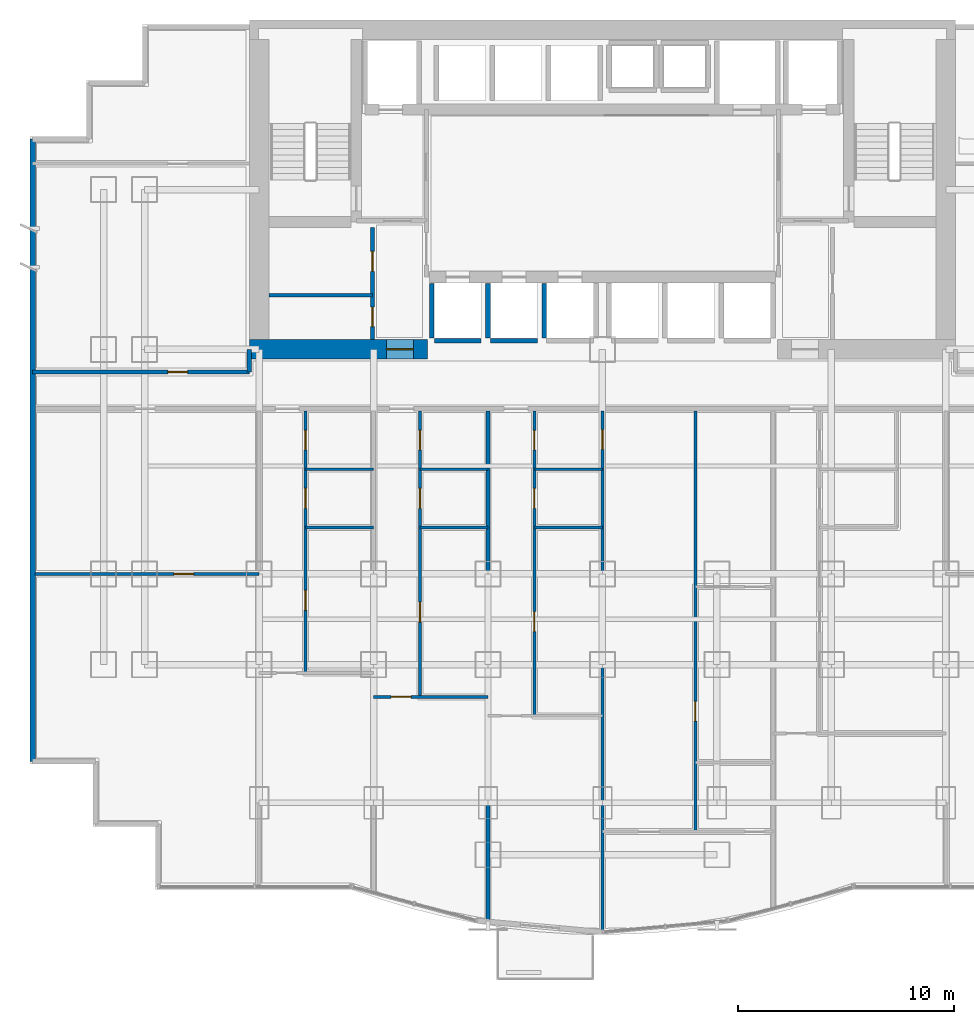
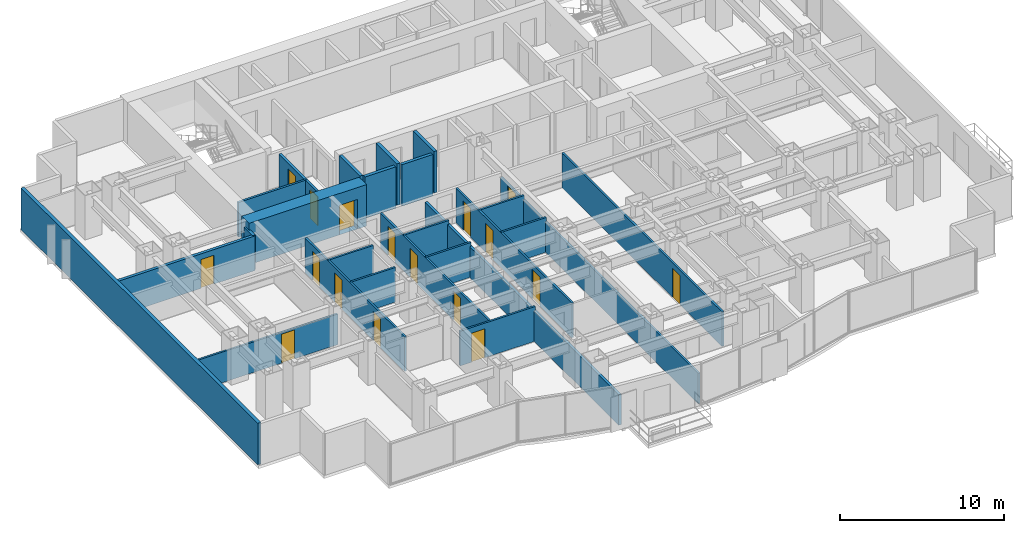
# One storey, part 5 of 10: 25 walls, 17 doors, 17 openings.
"""IFC4 building model written with IfcOpenShell, lengths in metres."""

from ifc_helpers import new_model, si_unit, direction, frame, frame_2d, origin, place, context, subcontext, project, spatial, rectangle, extrude, material, layer, layer_set, type_object, element, fill, save


model = new_model("IFC4")

# Units and contexts
model_context = context("Model", 3, precision=1e-05, world=origin(), true_north=direction((0.0, 1.0)))
body_context = subcontext(model_context, "Body", "Model", "MODEL_VIEW")
ifc_project = project(units=[si_unit("LENGTHUNIT", "METRE"), si_unit("AREAUNIT", "SQUARE_METRE"), si_unit("VOLUMEUNIT", "CUBIC_METRE"), si_unit("PLANEANGLEUNIT", "RADIAN"), si_unit("MASSUNIT", "GRAM", prefix="KILO")], contexts=[model_context])

# Site, building, storey
site_placement = place(None, origin())
site = spatial("IfcSite", under=ifc_project, at=site_placement, CompositionType="ELEMENT")
building_placement = place(site_placement, origin())
building = spatial("IfcBuilding", under=site, at=building_placement, Name="Qianlan Lanfeng Residences", CompositionType="ELEMENT")
storey_placement = place(building_placement, frame((0.0, 0.0, 34.10009765625)))
storey = spatial("IfcBuildingStorey", under=building, at=storey_placement, Name="L08", CompositionType="ELEMENT", Elevation=34.10009765625)

# Wall, opening, door
ifc_material_1 = material(Name="Concrete C70", Category="concrete")
ifc_layer_1 = layer(ifc_material_1, 0.89990234375)
ifc_layer_set_1 = layer_set([ifc_layer_1], Name="Concrete C70")
wall_type_1 = type_object("IfcWallType", Name="CW-RC-900", PredefinedType="SHEAR", material=ifc_layer_set_1)
wall_1_placement = place(storey_placement, frame((10.14990234375, 25.199951171875, 0.0), z_axis=(0.0, 0.0, 1.0), x_axis=(1.0, 0.0, 0.0)))
wall_1 = element("IfcWall", 1, at=wall_1_placement, inside=storey, type_object=wall_type_1, Name="L08 Core Shear Wall SW", PredefinedType="SHEAR", context=body_context, shape_type="SweptSolid", body=[
    extrude(rectangle(XDim=8.25, YDim=0.89990234375, at=frame_2d((4.125, 0.0))), origin(), (0.0, 0.0, 1.0), 3.079833984375),
])
opening_1_placement = place(wall_1_placement, frame((6.35009765625, 0.0, 0.0)))
opening_1 = element("IfcOpeningElement", 2, at=opening_1_placement, cuts=wall_1, Name="Opening L08-D01", PredefinedType="OPENING", context=body_context, shape_type="SweptSolid", body=[
    extrude(rectangle(XDim=1.25, YDim=2.199951171875, at=frame_2d((0.625, 1.10009765625))), frame((0.0, 0.4599609375, 0.0), z_axis=(0.0, -1.0, 0.0), x_axis=(1.0, 0.0, 0.0)), (0.0, 0.0, 1.0), 0.919921875),
])
ifc_material_2 = material(Name="Painted Galvanised Steel Fire Door", Category="steel")
door_type_1 = type_object("IfcDoorType", Name="DT-FFL", OperationType="NOTDEFINED", PredefinedType="DOOR", material=ifc_material_2)
door_1_placement = place(opening_1_placement, frame((1.25, 0.0, 0.0), z_axis=(0.0, 0.0, 1.0), x_axis=(-1.0, 0.0, 0.0)))
door_1 = element("IfcDoor", 3, at=door_1_placement, inside=storey, type_object=door_type_1, Name="L08 West Core Lobby Smoke Door L08-D01 (DT-FFL)", OperationType="SINGLE_SWING_RIGHT", OverallHeight=2.199951171875, OverallWidth=1.25, PredefinedType="DOOR", context=body_context, shape_type="SweptSolid", body=[
    extrude(rectangle(XDim=1.25, YDim=2.199951171875, at=frame_2d((0.625, 1.10009765625))), frame((0.0, 0.02490234375, 0.0), z_axis=(0.0, -1.0, 0.0), x_axis=(1.0, 0.0, 0.0)), (0.0, 0.0, 1.0), 0.050048828125),
])
fill(opening_1, door_1)

# Wall
ifc_material_3 = material(Name="Concrete C42", Category="concrete")
ifc_layer_2 = layer(ifc_material_3, 0.239990234375)
ifc_layer_set_2 = layer_set([ifc_layer_2], Name="Concrete C42")
wall_type_2 = type_object("IfcWallType", Name="EW-240", PredefinedType="SOLIDWALL", material=ifc_layer_set_2)
wall_2_placement = place(storey_placement, frame((0.1201171875, 34.929931640625, 0.0), z_axis=(0.0, 0.0, 1.0), x_axis=(0.0, -1.0, 0.0)))
element("IfcWall", 4, at=wall_2_placement, inside=storey, type_object=wall_type_2, Name="L08 Exterior Facade Spandrel Wall 21", PredefinedType="SOLIDWALL", context=body_context, shape_type="SweptSolid", body=[
    extrude(rectangle(XDim=28.809814453125, YDim=0.239990234375, at=frame_2d((14.40478515625, 0.0))), origin(), (0.0, 0.0, 1.0), 3.079833984375),
])

# Wall, openings, doors
ifc_material_4 = material(Name="Moisture-Resistant Gypsum Partition 135 mm")
ifc_layer_3 = layer(ifc_material_4, 0.135009765625)
ifc_layer_set_3 = layer_set([ifc_layer_3], Name="Moisture-Resistant Gypsum Partition 135 mm")
wall_type_3 = type_object("IfcWallType", Name="PW-135", PredefinedType="PARTITIONING", material=ifc_layer_set_3)
wall_3_placement = place(storey_placement, frame((12.75, 10.219970703125, 0.0), z_axis=(0.0, 0.0, 1.0), x_axis=(0.0, 1.0, 0.0)))
wall_3 = element("IfcWall", 5, at=wall_3_placement, inside=storey, type_object=wall_type_3, Name="L08 U01 Entry Hall Spine", PredefinedType="PARTITIONING", context=body_context, shape_type="SweptSolid", body=[
    extrude(rectangle(XDim=12.130126953125, YDim=0.135009765625, at=frame_2d((6.06494140625, 0.0))), origin(), (0.0, 0.0, 1.0), 2.56982421875),
])
opening_2_placement = place(wall_3_placement, frame((2.905029296875, 0.0, 0.0)))
opening_2 = element("IfcOpeningElement", 6, at=opening_2_placement, cuts=wall_3, Name="Opening L08-D16", PredefinedType="OPENING", context=body_context, shape_type="SweptSolid", body=[
    extrude(rectangle(XDim=0.919921875, YDim=2.14990234375, at=frame_2d((0.4599609375, 1.074951171875))), frame((0.0, 0.07763671875, 0.0), z_axis=(0.0, -1.0, 0.0), x_axis=(1.0, 0.0, 0.0)), (0.0, 0.0, 1.0), 0.155029296875),
])
opening_3_placement = place(wall_3_placement, frame((7.6201171875, 0.0, 0.0)))
opening_3 = element("IfcOpeningElement", 7, at=opening_3_placement, cuts=wall_3, Name="Opening L08-D17", PredefinedType="OPENING", context=body_context, shape_type="SweptSolid", body=[
    extrude(rectangle(XDim=0.919921875, YDim=2.14990234375, at=frame_2d((0.4599609375, 1.074951171875))), frame((0.0, 0.07763671875, 0.0), z_axis=(0.0, -1.0, 0.0), x_axis=(1.0, 0.0, 0.0)), (0.0, 0.0, 1.0), 0.155029296875),
])
opening_4_placement = place(wall_3_placement, frame((10.330078125, 0.0, 0.0)))
opening_4 = element("IfcOpeningElement", 8, at=opening_4_placement, cuts=wall_3, Name="Opening L08-D18", PredefinedType="OPENING", context=body_context, shape_type="SweptSolid", body=[
    extrude(rectangle(XDim=0.89990234375, YDim=2.14990234375, at=frame_2d((0.449951171875, 1.074951171875))), frame((0.0, 0.07763671875, 0.0), z_axis=(0.0, -1.0, 0.0), x_axis=(1.0, 0.0, 0.0)), (0.0, 0.0, 1.0), 0.155029296875),
])
ifc_material_5 = material(Name="Glazed Timber Kitchen/Study Door", Category="wood")
door_type_2 = type_object("IfcDoorType", Name="DT-INT", OperationType="NOTDEFINED", PredefinedType="DOOR", material=ifc_material_5)
door_2_placement = place(opening_2_placement, origin())
door_2 = element("IfcDoor", 9, at=door_2_placement, inside=storey, type_object=door_type_2, Name="L08 U01 Study Door L08-D16 (DT-INT)", OperationType="SINGLE_SWING_RIGHT", OverallHeight=2.14990234375, OverallWidth=0.919921875, PredefinedType="DOOR", context=body_context, shape_type="SweptSolid", body=[
    extrude(rectangle(XDim=0.919921875, YDim=2.14990234375, at=frame_2d((0.4599609375, 1.074951171875))), frame((0.0, 0.02490234375, 0.0), z_axis=(0.0, -1.0, 0.0), x_axis=(1.0, 0.0, 0.0)), (0.0, 0.0, 1.0), 0.050048828125),
])
fill(opening_2, door_2)
door_3_placement = place(opening_3_placement, origin())
door_3 = element("IfcDoor", 10, at=door_3_placement, inside=storey, type_object=door_type_2, Name="L08 U01 Kitchen Door L08-D17 (DT-INT)", OperationType="SINGLE_SWING_LEFT", OverallHeight=2.14990234375, OverallWidth=0.919921875, PredefinedType="DOOR", context=body_context, shape_type="SweptSolid", body=[
    extrude(rectangle(XDim=0.919921875, YDim=2.14990234375, at=frame_2d((0.4599609375, 1.074951171875))), frame((0.0, 0.02490234375, 0.0), z_axis=(0.0, -1.0, 0.0), x_axis=(1.0, 0.0, 0.0)), (0.0, 0.0, 1.0), 0.050048828125),
])
fill(opening_3, door_3)
ifc_material_6 = material(Name="Moisture-Resistant Timber Leaf", Category="wood")
door_type_3 = type_object("IfcDoorType", Name="DT-WC", OperationType="NOTDEFINED", PredefinedType="DOOR", material=ifc_material_6)
door_4_placement = place(opening_4_placement, origin())
door_4 = element("IfcDoor", 11, at=door_4_placement, inside=storey, type_object=door_type_3, Name="L08 U01 Bathroom Door L08-D18 (DT-WC)", OperationType="SINGLE_SWING_RIGHT", OverallHeight=2.14990234375, OverallWidth=0.89990234375, PredefinedType="DOOR", context=body_context, shape_type="SweptSolid", body=[
    extrude(rectangle(XDim=0.89990234375, YDim=2.14990234375, at=frame_2d((0.449951171875, 1.074951171875))), frame((0.0, 0.02490234375, 0.0), z_axis=(0.0, -1.0, 0.0), x_axis=(1.0, 0.0, 0.0)), (0.0, 0.0, 1.0), 0.050048828125),
])
fill(opening_4, door_4)

# Walls
for number, where, z_axis, x_axis, name in (
    (12, (12.75, 16.949951171875, 0.0), (0.0, 0.0, 1.0), (1.0, 0.0, 0.0), "L08 U01 Kitchen South Wall"),
    (13, (12.75, 19.64990234375, 0.0), (0.0, 0.0, 1.0), (1.0, 0.0, 0.0), "L08 U01 Bathroom South Wall"),
):
    element("IfcWall", number, at=place(storey_placement, frame(where, z_axis=z_axis, x_axis=x_axis)), inside=storey, type_object=wall_type_3, Name=name, PredefinedType="PARTITIONING", context=body_context, shape_type="SweptSolid", body=[
        extrude(rectangle(XDim=3.14990234375, YDim=0.135009765625, at=frame_2d((1.574951171875, 0.0))), origin(), (0.0, 0.0, 1.0), 2.56982421875),
    ])

# Wall, opening, door
wall_4_placement = place(storey_placement, frame((15.89990234375, 9.112060546875, 0.0), z_axis=(0.0, 0.0, 1.0), x_axis=(1.0, 0.0, 0.0)))
wall_4 = element("IfcWall", 14, at=wall_4_placement, inside=storey, type_object=wall_type_3, Name="L08 U02 Living Divider", PredefinedType="PARTITIONING", context=body_context, shape_type="SweptSolid", body=[
    extrude(rectangle(XDim=5.300048828125, YDim=0.135009765625, at=frame_2d((2.64990234375, 0.0))), origin(), (0.0, 0.0, 1.0), 2.56982421875),
])
opening_5_placement = place(wall_4_placement, frame((0.81494140625, 0.0, 0.0)))
opening_5 = element("IfcOpeningElement", 15, at=opening_5_placement, cuts=wall_4, Name="Opening L08-D20", PredefinedType="OPENING", context=body_context, shape_type="SweptSolid", body=[
    extrude(rectangle(XDim=0.919921875, YDim=2.14990234375, at=frame_2d((0.4599609375, 1.074951171875))), frame((0.0, 0.07763671875, 0.0), z_axis=(0.0, -1.0, 0.0), x_axis=(1.0, 0.0, 0.0)), (0.0, 0.0, 1.0), 0.155029296875),
])
door_5_placement = place(opening_5_placement, origin())
door_5 = element("IfcDoor", 16, at=door_5_placement, inside=storey, type_object=door_type_2, Name="L08 U02 Living Passage Door L08-D20 (DT-INT)", OperationType="SINGLE_SWING_LEFT", OverallHeight=2.14990234375, OverallWidth=0.919921875, PredefinedType="DOOR", context=body_context, shape_type="SweptSolid", body=[
    extrude(rectangle(XDim=0.919921875, YDim=2.14990234375, at=frame_2d((0.4599609375, 1.074951171875))), frame((0.0, 0.02490234375, 0.0), z_axis=(0.0, -1.0, 0.0), x_axis=(1.0, 0.0, 0.0)), (0.0, 0.0, 1.0), 0.050048828125),
])
fill(opening_5, door_5)

# Wall, openings, doors
wall_5_placement = place(storey_placement, frame((18.050048828125, 9.112060546875, 0.0), z_axis=(0.0, 0.0, 1.0), x_axis=(0.0, 1.0, 0.0)))
wall_5 = element("IfcWall", 17, at=wall_5_placement, inside=storey, type_object=wall_type_3, Name="L08 U02 Entry Hall Spine", PredefinedType="PARTITIONING", context=body_context, shape_type="SweptSolid", body=[
    extrude(rectangle(XDim=13.238037109375, YDim=0.135009765625, at=frame_2d((6.619140625, 0.0))), origin(), (0.0, 0.0, 1.0), 2.56982421875),
])
opening_6_placement = place(wall_5_placement, frame((3.458984375, 0.0, 0.0)))
opening_6 = element("IfcOpeningElement", 18, at=opening_6_placement, cuts=wall_5, Name="Opening L08-D21", PredefinedType="OPENING", context=body_context, shape_type="SweptSolid", body=[
    extrude(rectangle(XDim=0.919921875, YDim=2.14990234375, at=frame_2d((0.4599609375, 1.074951171875))), frame((0.0, 0.07763671875, 0.0), z_axis=(0.0, -1.0, 0.0), x_axis=(1.0, 0.0, 0.0)), (0.0, 0.0, 1.0), 0.155029296875),
])
opening_7_placement = place(wall_5_placement, frame((8.72802734375, 0.0, 0.0)))
opening_7 = element("IfcOpeningElement", 19, at=opening_7_placement, cuts=wall_5, Name="Opening L08-D22", PredefinedType="OPENING", context=body_context, shape_type="SweptSolid", body=[
    extrude(rectangle(XDim=0.919921875, YDim=2.14990234375, at=frame_2d((0.4599609375, 1.074951171875))), frame((0.0, 0.07763671875, 0.0), z_axis=(0.0, -1.0, 0.0), x_axis=(1.0, 0.0, 0.0)), (0.0, 0.0, 1.0), 0.155029296875),
])
opening_8_placement = place(wall_5_placement, frame((11.43798828125, 0.0, 0.0)))
opening_8 = element("IfcOpeningElement", 20, at=opening_8_placement, cuts=wall_5, Name="Opening L08-D23", PredefinedType="OPENING", context=body_context, shape_type="SweptSolid", body=[
    extrude(rectangle(XDim=0.89990234375, YDim=2.14990234375, at=frame_2d((0.449951171875, 1.074951171875))), frame((0.0, 0.07763671875, 0.0), z_axis=(0.0, -1.0, 0.0), x_axis=(1.0, 0.0, 0.0)), (0.0, 0.0, 1.0), 0.155029296875),
])
door_6_placement = place(opening_6_placement, origin())
door_6 = element("IfcDoor", 21, at=door_6_placement, inside=storey, type_object=door_type_2, Name="L08 U02 Study Door L08-D21 (DT-INT)", OperationType="SINGLE_SWING_LEFT", OverallHeight=2.14990234375, OverallWidth=0.919921875, PredefinedType="DOOR", context=body_context, shape_type="SweptSolid", body=[
    extrude(rectangle(XDim=0.919921875, YDim=2.14990234375, at=frame_2d((0.4599609375, 1.074951171875))), frame((0.0, 0.02490234375, 0.0), z_axis=(0.0, -1.0, 0.0), x_axis=(1.0, 0.0, 0.0)), (0.0, 0.0, 1.0), 0.050048828125),
])
fill(opening_6, door_6)
door_7_placement = place(opening_7_placement, origin())
door_7 = element("IfcDoor", 22, at=door_7_placement, inside=storey, type_object=door_type_2, Name="L08 U02 Kitchen Door L08-D22 (DT-INT)", OperationType="SINGLE_SWING_RIGHT", OverallHeight=2.14990234375, OverallWidth=0.919921875, PredefinedType="DOOR", context=body_context, shape_type="SweptSolid", body=[
    extrude(rectangle(XDim=0.919921875, YDim=2.14990234375, at=frame_2d((0.4599609375, 1.074951171875))), frame((0.0, 0.02490234375, 0.0), z_axis=(0.0, -1.0, 0.0), x_axis=(1.0, 0.0, 0.0)), (0.0, 0.0, 1.0), 0.050048828125),
])
fill(opening_7, door_7)
door_8_placement = place(opening_8_placement, origin())
door_8 = element("IfcDoor", 23, at=door_8_placement, inside=storey, type_object=door_type_3, Name="L08 U02 Bathroom Door L08-D23 (DT-WC)", OperationType="SINGLE_SWING_LEFT", OverallHeight=2.14990234375, OverallWidth=0.89990234375, PredefinedType="DOOR", context=body_context, shape_type="SweptSolid", body=[
    extrude(rectangle(XDim=0.89990234375, YDim=2.14990234375, at=frame_2d((0.449951171875, 1.074951171875))), frame((0.0, 0.02490234375, 0.0), z_axis=(0.0, -1.0, 0.0), x_axis=(1.0, 0.0, 0.0)), (0.0, 0.0, 1.0), 0.050048828125),
])
fill(opening_8, door_8)

# Walls
for number, where, z_axis, x_axis, name in (
    (24, (18.050048828125, 16.949951171875, 0.0), (0.0, 0.0, 1.0), (1.0, 0.0, 0.0), "L08 U02 Kitchen South Wall"),
    (25, (18.050048828125, 19.64990234375, 0.0), (0.0, 0.0, 1.0), (1.0, 0.0, 0.0), "L08 U02 Bathroom South Wall"),
):
    element("IfcWall", number, at=place(storey_placement, frame(where, z_axis=z_axis, x_axis=x_axis)), inside=storey, type_object=wall_type_3, Name=name, PredefinedType="PARTITIONING", context=body_context, shape_type="SweptSolid", body=[
        extrude(rectangle(XDim=3.14990234375, YDim=0.135009765625, at=frame_2d((1.574951171875, 0.0))), origin(), (0.0, 0.0, 1.0), 2.56982421875),
    ])

# Wall, opening, door
wall_6_placement = place(storey_placement, frame((26.5, -1.679931640625, 0.0), z_axis=(0.0, 0.0, 1.0), x_axis=(0.0, 1.0, 0.0)))
wall_6 = element("IfcWall", 26, at=wall_6_placement, inside=storey, type_object=wall_type_3, Name="L08 U03 Bay Spine Wall 1", PredefinedType="PARTITIONING", context=body_context, shape_type="SweptSolid", body=[
    extrude(rectangle(XDim=24.030029296875, YDim=0.135009765625, at=frame_2d((12.01513671875, 0.0))), origin(), (0.0, 0.0, 1.0), 2.27490234375),
])
opening_9_placement = place(wall_6_placement, frame((22.2451171875, 0.0, 0.0)))
opening_9 = element("IfcOpeningElement", 27, at=opening_9_placement, cuts=wall_6, Name="Opening L08-D25", PredefinedType="OPENING", context=body_context, shape_type="SweptSolid", body=[
    extrude(rectangle(XDim=0.919921875, YDim=2.14990234375, at=frame_2d((0.4599609375, 1.074951171875))), frame((0.0, 0.07763671875, 0.0), z_axis=(0.0, -1.0, 0.0), x_axis=(1.0, 0.0, 0.0)), (0.0, 0.0, 1.0), 0.155029296875),
])
door_9_placement = place(opening_9_placement, origin())
door_9 = element("IfcDoor", 28, at=door_9_placement, inside=storey, type_object=door_type_2, Name="L08 U03 Internal Hall Door L08-D25 (DT-INT)", OperationType="SINGLE_SWING_LEFT", OverallHeight=2.14990234375, OverallWidth=0.919921875, PredefinedType="DOOR", context=body_context, shape_type="SweptSolid", body=[
    extrude(rectangle(XDim=0.919921875, YDim=2.14990234375, at=frame_2d((0.4599609375, 1.074951171875))), frame((0.0, 0.02490234375, 0.0), z_axis=(0.0, -1.0, 0.0), x_axis=(1.0, 0.0, 0.0)), (0.0, 0.0, 1.0), 0.050048828125),
])
fill(opening_9, door_9)

# Wall, openings, doors
wall_7_placement = place(storey_placement, frame((23.35009765625, 8.23388671875, 0.0), z_axis=(0.0, 0.0, 1.0), x_axis=(0.0, 1.0, 0.0)))
wall_7 = element("IfcWall", 29, at=wall_7_placement, inside=storey, type_object=wall_type_3, Name="L08 U03 Entry Hall Spine", PredefinedType="PARTITIONING", context=body_context, shape_type="SweptSolid", body=[
    extrude(rectangle(XDim=14.1162109375, YDim=0.135009765625, at=frame_2d((7.05810546875, 0.0))), origin(), (0.0, 0.0, 1.0), 2.56982421875),
])
opening_10_placement = place(wall_7_placement, frame((3.89794921875, 0.0, 0.0)))
opening_10 = element("IfcOpeningElement", 30, at=opening_10_placement, cuts=wall_7, Name="Opening L08-D27", PredefinedType="OPENING", context=body_context, shape_type="SweptSolid", body=[
    extrude(rectangle(XDim=0.919921875, YDim=2.14990234375, at=frame_2d((0.4599609375, 1.074951171875))), frame((0.0, 0.07763671875, 0.0), z_axis=(0.0, -1.0, 0.0), x_axis=(1.0, 0.0, 0.0)), (0.0, 0.0, 1.0), 0.155029296875),
])
opening_11_placement = place(wall_7_placement, frame((9.60595703125, 0.0, 0.0)))
opening_11 = element("IfcOpeningElement", 31, at=opening_11_placement, cuts=wall_7, Name="Opening L08-D28", PredefinedType="OPENING", context=body_context, shape_type="SweptSolid", body=[
    extrude(rectangle(XDim=0.919921875, YDim=2.14990234375, at=frame_2d((0.4599609375, 1.074951171875))), frame((0.0, 0.07763671875, 0.0), z_axis=(0.0, -1.0, 0.0), x_axis=(1.0, 0.0, 0.0)), (0.0, 0.0, 1.0), 0.155029296875),
])
opening_12_placement = place(wall_7_placement, frame((12.31591796875, 0.0, 0.0)))
opening_12 = element("IfcOpeningElement", 32, at=opening_12_placement, cuts=wall_7, Name="Opening L08-D29", PredefinedType="OPENING", context=body_context, shape_type="SweptSolid", body=[
    extrude(rectangle(XDim=0.89990234375, YDim=2.14990234375, at=frame_2d((0.449951171875, 1.074951171875))), frame((0.0, 0.07763671875, 0.0), z_axis=(0.0, -1.0, 0.0), x_axis=(1.0, 0.0, 0.0)), (0.0, 0.0, 1.0), 0.155029296875),
])
door_10_placement = place(opening_10_placement, origin())
door_10 = element("IfcDoor", 33, at=door_10_placement, inside=storey, type_object=door_type_2, Name="L08 U03 Study Door L08-D27 (DT-INT)", OperationType="SINGLE_SWING_LEFT", OverallHeight=2.14990234375, OverallWidth=0.919921875, PredefinedType="DOOR", context=body_context, shape_type="SweptSolid", body=[
    extrude(rectangle(XDim=0.919921875, YDim=2.14990234375, at=frame_2d((0.4599609375, 1.074951171875))), frame((0.0, 0.02490234375, 0.0), z_axis=(0.0, -1.0, 0.0), x_axis=(1.0, 0.0, 0.0)), (0.0, 0.0, 1.0), 0.050048828125),
])
fill(opening_10, door_10)
door_11_placement = place(opening_11_placement, origin())
door_11 = element("IfcDoor", 34, at=door_11_placement, inside=storey, type_object=door_type_2, Name="L08 U03 Kitchen Door L08-D28 (DT-INT)", OperationType="SINGLE_SWING_RIGHT", OverallHeight=2.14990234375, OverallWidth=0.919921875, PredefinedType="DOOR", context=body_context, shape_type="SweptSolid", body=[
    extrude(rectangle(XDim=0.919921875, YDim=2.14990234375, at=frame_2d((0.4599609375, 1.074951171875))), frame((0.0, 0.02490234375, 0.0), z_axis=(0.0, -1.0, 0.0), x_axis=(1.0, 0.0, 0.0)), (0.0, 0.0, 1.0), 0.050048828125),
])
fill(opening_11, door_11)
door_12_placement = place(opening_12_placement, origin())
door_12 = element("IfcDoor", 35, at=door_12_placement, inside=storey, type_object=door_type_3, Name="L08 U03 Bathroom Door L08-D29 (DT-WC)", OperationType="SINGLE_SWING_LEFT", OverallHeight=2.14990234375, OverallWidth=0.89990234375, PredefinedType="DOOR", context=body_context, shape_type="SweptSolid", body=[
    extrude(rectangle(XDim=0.89990234375, YDim=2.14990234375, at=frame_2d((0.449951171875, 1.074951171875))), frame((0.0, 0.02490234375, 0.0), z_axis=(0.0, -1.0, 0.0), x_axis=(1.0, 0.0, 0.0)), (0.0, 0.0, 1.0), 0.050048828125),
])
fill(opening_12, door_12)

# Walls
for number, where, z_axis, x_axis, name in (
    (36, (23.35009765625, 16.949951171875, 0.0), (0.0, 0.0, 1.0), (1.0, 0.0, 0.0), "L08 U03 Kitchen South Wall"),
    (37, (23.35009765625, 19.64990234375, 0.0), (0.0, 0.0, 1.0), (1.0, 0.0, 0.0), "L08 U03 Bathroom South Wall"),
):
    element("IfcWall", number, at=place(storey_placement, frame(where, z_axis=z_axis, x_axis=x_axis)), inside=storey, type_object=wall_type_3, Name=name, PredefinedType="PARTITIONING", context=body_context, shape_type="SweptSolid", body=[
        extrude(rectangle(XDim=3.14990234375, YDim=0.135009765625, at=frame_2d((1.574951171875, 0.0))), origin(), (0.0, 0.0, 1.0), 2.56982421875),
    ])

# Wall, opening, door
wall_8_placement = place(storey_placement, frame((30.800048828125, 2.873046875, 0.0), z_axis=(0.0, 0.0, 1.0), x_axis=(0.0, 1.0, 0.0)))
wall_8 = element("IfcWall", 38, at=wall_8_placement, inside=storey, type_object=wall_type_3, Name="L08 U03 Master Passage Wall", PredefinedType="PARTITIONING", context=body_context, shape_type="SweptSolid", body=[
    extrude(rectangle(XDim=19.47705078125, YDim=0.135009765625, at=frame_2d((9.738525390625, 0.0))), origin(), (0.0, 0.0, 1.0), 2.56982421875),
])
opening_13_placement = place(wall_8_placement, frame((5.10888671875, 0.0, 0.0)))
opening_13 = element("IfcOpeningElement", 39, at=opening_13_placement, cuts=wall_8, Name="Opening L08-D32", PredefinedType="OPENING", context=body_context, shape_type="SweptSolid", body=[
    extrude(rectangle(XDim=0.919921875, YDim=2.14990234375, at=frame_2d((0.4599609375, 1.074951171875))), frame((0.0, 0.07763671875, 0.0), z_axis=(0.0, -1.0, 0.0), x_axis=(1.0, 0.0, 0.0)), (0.0, 0.0, 1.0), 0.155029296875),
])
door_13_placement = place(opening_13_placement, origin())
door_13 = element("IfcDoor", 40, at=door_13_placement, inside=storey, type_object=door_type_2, Name="L08 U03 Wardrobe Door L08-D32 (DT-INT)", OperationType="SINGLE_SWING_RIGHT", OverallHeight=2.14990234375, OverallWidth=0.919921875, PredefinedType="DOOR", context=body_context, shape_type="SweptSolid", body=[
    extrude(rectangle(XDim=0.919921875, YDim=2.14990234375, at=frame_2d((0.4599609375, 1.074951171875))), frame((0.0, 0.02490234375, 0.0), z_axis=(0.0, -1.0, 0.0), x_axis=(1.0, 0.0, 0.0)), (0.0, 0.0, 1.0), 0.050048828125),
])
fill(opening_13, door_13)

wall_9_placement = place(storey_placement, frame((0.219970703125, 14.800048828125, 0.0), z_axis=(0.0, 0.0, 1.0), x_axis=(1.0, 0.0, 0.0)))
wall_9 = element("IfcWall", 41, at=wall_9_placement, inside=storey, type_object=wall_type_3, Name="L08 SWP Mid Partition", PredefinedType="PARTITIONING", context=body_context, shape_type="SweptSolid", body=[
    extrude(rectangle(XDim=10.380126953125, YDim=0.135009765625, at=frame_2d((5.18994140625, 0.0))), origin(), (0.0, 0.0, 1.0), 2.27490234375),
])
opening_14_placement = place(wall_9_placement, frame((6.429931640625, 0.0, 0.0)))
opening_14 = element("IfcOpeningElement", 42, at=opening_14_placement, cuts=wall_9, Name="Opening L08-D39", PredefinedType="OPENING", context=body_context, shape_type="SweptSolid", body=[
    extrude(rectangle(XDim=0.919921875, YDim=2.14990234375, at=frame_2d((0.4599609375, 1.074951171875))), frame((0.0, 0.07763671875, 0.0), z_axis=(0.0, -1.0, 0.0), x_axis=(1.0, 0.0, 0.0)), (0.0, 0.0, 1.0), 0.155029296875),
])
door_14_placement = place(opening_14_placement, origin())
door_14 = element("IfcDoor", 43, at=door_14_placement, inside=storey, type_object=door_type_2, Name="L08 SWP Inner Door L08-D39 (DT-INT)", OperationType="SINGLE_SWING_LEFT", OverallHeight=2.14990234375, OverallWidth=0.919921875, PredefinedType="DOOR", context=body_context, shape_type="SweptSolid", body=[
    extrude(rectangle(XDim=0.919921875, YDim=2.14990234375, at=frame_2d((0.4599609375, 1.074951171875))), frame((0.0, 0.02490234375, 0.0), z_axis=(0.0, -1.0, 0.0), x_axis=(1.0, 0.0, 0.0)), (0.0, 0.0, 1.0), 0.050048828125),
])
fill(opening_14, door_14)

# Wall
ifc_material_7 = material(Name="Acoustic Drywall Partition 150 mm")
ifc_layer_4 = layer(ifc_material_7, 0.14990234375)
ifc_layer_set_4 = layer_set([ifc_layer_4], Name="Acoustic Drywall Partition 150 mm")
wall_type_4 = type_object("IfcWallType", Name="PW-150", PredefinedType="PARTITIONING", material=ifc_layer_set_4)
wall_10_placement = place(storey_placement, frame((11.050048828125, 27.699951171875, 0.0), z_axis=(0.0, 0.0, 1.0), x_axis=(1.0, 0.0, 0.0)))
element("IfcWall", 44, at=wall_10_placement, inside=storey, type_object=wall_type_4, Name="L08 Core West Split", PredefinedType="PARTITIONING", context=body_context, shape_type="SweptSolid", body=[
    extrude(rectangle(XDim=4.800048828125, YDim=0.14990234375, at=frame_2d((2.39990234375, 0.0))), origin(), (0.0, 0.0, 1.0), 2.56982421875),
])

# Wall, openings, doors
ifc_material_8 = material(Name="Double-Layer Acoustic Gypsum Stud Wall 180 mm")
ifc_layer_5 = layer(ifc_material_8, 0.179931640625)
ifc_layer_set_5 = layer_set([ifc_layer_5], Name="Double-Layer Acoustic Gypsum Stud Wall 180 mm")
wall_type_5 = type_object("IfcWallType", Name="PW-180", PredefinedType="PARTITIONING", material=ifc_layer_set_5)
wall_11_placement = place(storey_placement, frame((15.85009765625, 25.64990234375, 0.0), z_axis=(0.0, 0.0, 1.0), x_axis=(0.0, 1.0, 0.0)))
wall_11 = element("IfcWall", 45, at=wall_11_placement, inside=storey, type_object=wall_type_5, Name="L08 Core West Service Room Wall", PredefinedType="PARTITIONING", context=body_context, shape_type="SweptSolid", body=[
    extrude(rectangle(XDim=5.2001953125, YDim=0.179931640625, at=frame_2d((2.60009765625, 0.0))), origin(), (0.0, 0.0, 1.0), 2.56982421875),
])
opening_15_placement = place(wall_11_placement, frame((0.60009765625, 0.0, 0.0)))
opening_15 = element("IfcOpeningElement", 46, at=opening_15_placement, cuts=wall_11, Name="Opening L08-D09", PredefinedType="OPENING", context=body_context, shape_type="SweptSolid", body=[
    extrude(rectangle(XDim=0.89990234375, YDim=2.14990234375, at=frame_2d((0.449951171875, 1.074951171875))), frame((0.0, 0.10009765625, 0.0), z_axis=(0.0, -1.0, 0.0), x_axis=(1.0, 0.0, 0.0)), (0.0, 0.0, 1.0), 0.199951171875),
])
opening_16_placement = place(wall_11_placement, frame((3.1650390625, 0.0, 0.0)))
opening_16 = element("IfcOpeningElement", 47, at=opening_16_placement, cuts=wall_11, Name="Opening L08-D10", PredefinedType="OPENING", context=body_context, shape_type="SweptSolid", body=[
    extrude(rectangle(XDim=0.919921875, YDim=2.14990234375, at=frame_2d((0.4599609375, 1.074951171875))), frame((0.0, 0.10009765625, 0.0), z_axis=(0.0, -1.0, 0.0), x_axis=(1.0, 0.0, 0.0)), (0.0, 0.0, 1.0), 0.199951171875),
])
door_15_placement = place(opening_16_placement, origin())
door_15 = element("IfcDoor", 48, at=door_15_placement, inside=storey, type_object=door_type_2, Name="L08 Janitor Closet Door L08-D10 (DT-INT)", OperationType="SINGLE_SWING_RIGHT", OverallHeight=2.14990234375, OverallWidth=0.919921875, PredefinedType="DOOR", context=body_context, shape_type="SweptSolid", body=[
    extrude(rectangle(XDim=0.919921875, YDim=2.14990234375, at=frame_2d((0.4599609375, 1.074951171875))), frame((0.0, 0.02490234375, 0.0), z_axis=(0.0, -1.0, 0.0), x_axis=(1.0, 0.0, 0.0)), (0.0, 0.0, 1.0), 0.050048828125),
])
fill(opening_16, door_15)
door_16_placement = place(opening_15_placement, frame((0.89990234375, 0.0, 0.0), z_axis=(0.0, 0.0, 1.0), x_axis=(-1.0, 0.0, 0.0)))
door_16 = element("IfcDoor", 49, at=door_16_placement, inside=storey, type_object=door_type_3, Name="L08 Core Staff WC Door L08-D09 (DT-WC)", OperationType="SINGLE_SWING_RIGHT", OverallHeight=2.14990234375, OverallWidth=0.89990234375, PredefinedType="DOOR", context=body_context, shape_type="SweptSolid", body=[
    extrude(rectangle(XDim=0.89990234375, YDim=2.14990234375, at=frame_2d((0.449951171875, 1.074951171875))), frame((0.0, 0.02490234375, 0.0), z_axis=(0.0, -1.0, 0.0), x_axis=(1.0, 0.0, 0.0)), (0.0, 0.0, 1.0), 0.050048828125),
])
fill(opening_15, door_16)

# Wall
wall_12_placement = place(storey_placement, frame((21.199951171875, -1.235107421875, 0.0), z_axis=(0.0, 0.0, 1.0), x_axis=(0.0, 1.0, 0.0)))
element("IfcWall", 50, at=wall_12_placement, inside=storey, type_object=wall_type_5, Name="L08 Inter-Tenancy Party Wall 3", PredefinedType="PARTITIONING", context=body_context, shape_type="SweptSolid", body=[
    extrude(rectangle(XDim=23.585205078125, YDim=0.179931640625, at=frame_2d((11.79248046875, 0.0))), origin(), (0.0, 0.0, 1.0), 2.27490234375),
])

# Wall, opening, door
ifc_material_9 = material(Name="Autoclaved Aerated Concrete Blockwork 200 mm", Category="masonry")
ifc_layer_6 = layer(ifc_material_9, 0.199951171875)
ifc_layer_set_6 = layer_set([ifc_layer_6], Name="Autoclaved Aerated Concrete Blockwork 200 mm")
wall_type_6 = type_object("IfcWallType", Name="PW-200", PredefinedType="PARTITIONING", material=ifc_layer_set_6)
wall_13_placement = place(storey_placement, frame((0.1201171875, 24.14990234375, 0.0), z_axis=(0.0, 0.0, 1.0), x_axis=(1.0, 0.0, 0.0)))
wall_13 = element("IfcWall", 51, at=wall_13_placement, inside=storey, type_object=wall_type_6, Name="L08 Corridor NW Wall", PredefinedType="PARTITIONING", context=body_context, shape_type="SweptSolid", body=[
    extrude(rectangle(XDim=10.02978515625, YDim=0.199951171875, at=frame_2d((5.014892578125, 0.0))), origin(), (0.0, 0.0, 1.0), 2.56982421875),
])
opening_17_placement = place(wall_13_placement, frame((6.2548828125, 0.0, 0.0)))
opening_17 = element("IfcOpeningElement", 52, at=opening_17_placement, cuts=wall_13, Name="Opening L08-D44", PredefinedType="OPENING", context=body_context, shape_type="SweptSolid", body=[
    extrude(rectangle(XDim=0.919921875, YDim=2.14990234375, at=frame_2d((0.4599609375, 1.074951171875))), frame((0.0, 0.10986328125, 0.0), z_axis=(0.0, -1.0, 0.0), x_axis=(1.0, 0.0, 0.0)), (0.0, 0.0, 1.0), 0.219970703125),
])
door_17_placement = place(opening_17_placement, origin())
door_17 = element("IfcDoor", 53, at=door_17_placement, inside=storey, type_object=door_type_2, Name="L08 WW Amenity Salon Door L08-D44 (DT-INT)", OperationType="SINGLE_SWING_RIGHT", OverallHeight=2.14990234375, OverallWidth=0.919921875, PredefinedType="DOOR", context=body_context, shape_type="SweptSolid", body=[
    extrude(rectangle(XDim=0.919921875, YDim=2.14990234375, at=frame_2d((0.4599609375, 1.074951171875))), frame((0.0, 0.02490234375, 0.0), z_axis=(0.0, -1.0, 0.0), x_axis=(1.0, 0.0, 0.0)), (0.0, 0.0, 1.0), 0.050048828125),
])
fill(opening_17, door_17)

# Walls
wall_14_placement = place(storey_placement, frame((10.14990234375, 24.14990234375, 0.0), z_axis=(0.0, 0.0, 1.0), x_axis=(0.0, 1.0, 0.0)))
element("IfcWall", 54, at=wall_14_placement, inside=storey, type_object=wall_type_6, Name="L08 NW Wing Core Return Wall", PredefinedType="PARTITIONING", context=body_context, shape_type="SweptSolid", body=[
    extrude(rectangle(XDim=1.050048828125, YDim=0.199951171875, at=frame_2d((0.52490234375, 0.0))), origin(), (0.0, 0.0, 1.0), 2.56982421875),
])
ifc_material_10 = material(Name="Concrete C49", Category="concrete")
ifc_layer_7 = layer(ifc_material_10, 0.219970703125)
ifc_layer_set_7 = layer_set([ifc_layer_7], Name="Concrete C49")
wall_type_7 = type_object("IfcWallType", Name="SHW-220", PredefinedType="SOLIDWALL", material=ifc_layer_set_7)
wall_15_placement = place(storey_placement, frame((18.60009765625, 25.719970703125, 0.0), z_axis=(0.0, 0.0, 1.0), x_axis=(0.0, 1.0, 0.0)))
element("IfcWall", 55, at=wall_15_placement, inside=storey, type_object=wall_type_7, Name="L08 Lift PL-L1 Shaft Wall W", PredefinedType="SOLIDWALL", context=body_context, shape_type="SweptSolid", body=[
    extrude(rectangle(XDim=2.530029296875, YDim=0.219970703125, at=frame_2d((1.26513671875, 0.0))), origin(), (0.0, 0.0, 1.0), 3.079833984375),
])
wall_16_placement = place(storey_placement, frame((18.719970703125, 25.60009765625, 0.0), z_axis=(0.0, 0.0, 1.0), x_axis=(1.0, 0.0, 0.0)))
element("IfcWall", 56, at=wall_16_placement, inside=storey, type_object=wall_type_7, Name="L08 Lift PL-L1 Shaft Back Wall S", PredefinedType="SOLIDWALL", context=body_context, shape_type="SweptSolid", body=[
    extrude(rectangle(XDim=2.159912109375, YDim=0.219970703125, at=frame_2d((1.080078125, 0.0))), origin(), (0.0, 0.0, 1.0), 3.079833984375),
])
wall_17_placement = place(storey_placement, frame((21.199951171875, 25.719970703125, 0.0), z_axis=(0.0, 0.0, 1.0), x_axis=(0.0, 1.0, 0.0)))
element("IfcWall", 57, at=wall_17_placement, inside=storey, type_object=wall_type_7, Name="L08 Lift PL-L2 Shaft Wall W", PredefinedType="SOLIDWALL", context=body_context, shape_type="SweptSolid", body=[
    extrude(rectangle(XDim=2.530029296875, YDim=0.219970703125, at=frame_2d((1.26513671875, 0.0))), origin(), (0.0, 0.0, 1.0), 3.079833984375),
])
wall_18_placement = place(storey_placement, frame((21.320068359375, 25.60009765625, 0.0), z_axis=(0.0, 0.0, 1.0), x_axis=(1.0, 0.0, 0.0)))
element("IfcWall", 58, at=wall_18_placement, inside=storey, type_object=wall_type_7, Name="L08 Lift PL-L2 Shaft Back Wall S", PredefinedType="SOLIDWALL", context=body_context, shape_type="SweptSolid", body=[
    extrude(rectangle(XDim=2.159912109375, YDim=0.219970703125, at=frame_2d((1.080078125, 0.0))), origin(), (0.0, 0.0, 1.0), 3.079833984375),
])
wall_19_placement = place(storey_placement, frame((23.800048828125, 25.719970703125, 0.0), z_axis=(0.0, 0.0, 1.0), x_axis=(0.0, 1.0, 0.0)))
element("IfcWall", 59, at=wall_19_placement, inside=storey, type_object=wall_type_7, Name="L08 Lift PL-L3 Shaft Wall W", PredefinedType="SOLIDWALL", context=body_context, shape_type="SweptSolid", body=[
    extrude(rectangle(XDim=2.530029296875, YDim=0.219970703125, at=frame_2d((1.26513671875, 0.0))), origin(), (0.0, 0.0, 1.0), 3.079833984375),
])

save(model, "model.ifc")
